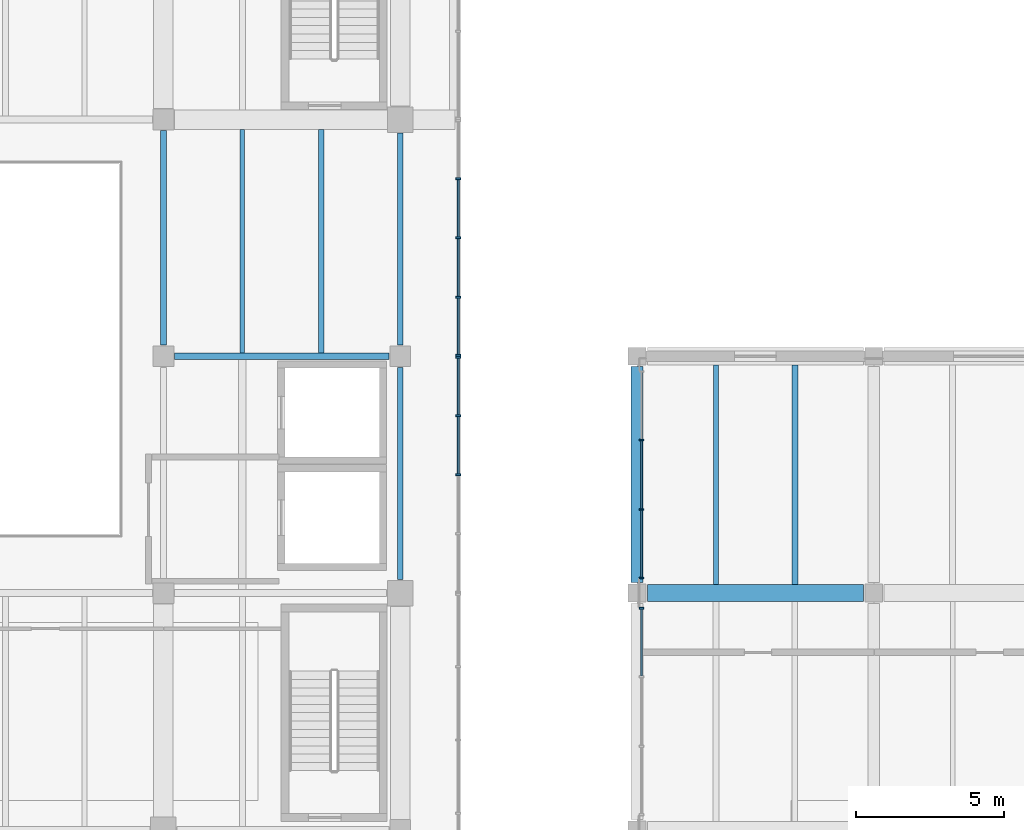
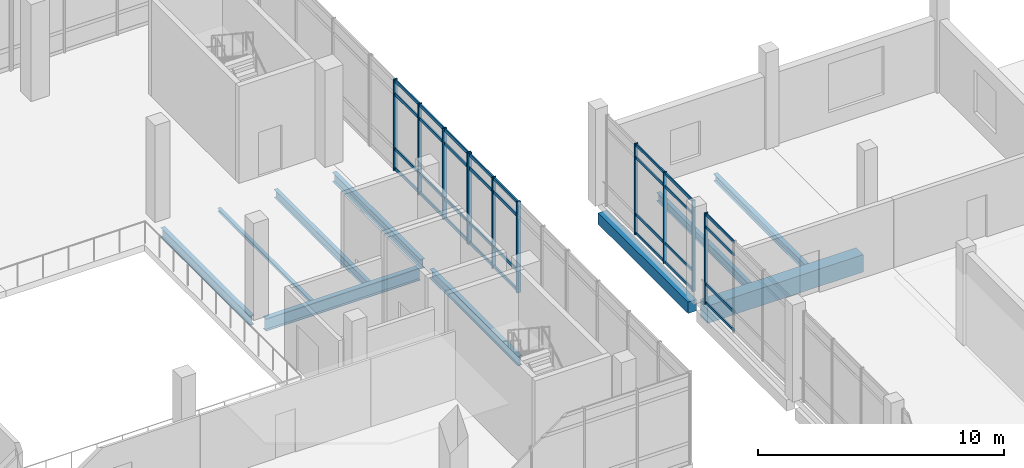
# One storey, part 21 of 47: 43 members, 10 beams, 4 elements without a shape of their own.
"""IFC4 building model written with IfcOpenShell, lengths in metres."""

import ifcopenshell
import ifcopenshell.guid

model = None  # the IFC model being written
_history = None  # IfcOwnerHistory: only IFC2X3 demands one
_inside = {}  # id of a spatial element -> (the spatial element, [elements in it])
_under = {}  # id of a project, library or spatial element -> (it, [spatial elements below it])
_declared = {}  # id of a project -> (the project, [libraries it declares])
_typed = {}  # id of a type object -> (the type object, [elements of that type])
_made_of = {}  # id of a material, layer set ... -> (it, [elements and type objects made of it])


def new_model(schema):
    """Start an empty IFC model of exactly this schema.

    Asked for "IFC4X3", IfcOpenShell would pick the latest addendum, in which some entities
    have other attributes; the version numbers below select the first issue.
    IFC2X3 requires an IfcOwnerHistory on every rooted entity: one is made here for all.
    """
    global model, _history
    if schema == "IFC4X3":
        model = ifcopenshell.file(schema_version=(4, 3, 0, 0))
    else:
        model = ifcopenshell.file(schema=schema)
    _inside.clear()
    _under.clear()
    _declared.clear()
    _typed.clear()
    _made_of.clear()
    _history = None
    if model.schema == "IFC2X3":
        org = make("IfcOrganization", Name="unknown")
        user = make(
            "IfcPersonAndOrganization",
            ThePerson=make("IfcPerson", FamilyName="unknown"),
            TheOrganization=org,
        )
        app = make(
            "IfcApplication",
            ApplicationDeveloper=org,
            Version="unknown",
            ApplicationFullName="unknown",
            ApplicationIdentifier="unknown",
        )
        _history = make(
            "IfcOwnerHistory",
            OwningUser=user,
            OwningApplication=app,
            ChangeAction="ADDED",
            CreationDate=0,
        )
    return model


def make(cls, **values):
    """One entity of the class cls with the attributes given. An attribute that is None is left unset."""
    return model.create_entity(
        cls, **{name: value for name, value in values.items() if value is not None}
    )


def rooted(cls, **values):
    """An entity with a GlobalId (a new one), such as an element, a storey or a relation."""
    return make(cls, GlobalId=ifcopenshell.guid.new(), OwnerHistory=_history, **values)


def si_unit(unit_type, name, prefix=None):
    """IfcSIUnit, for example si_unit("LENGTHUNIT", "METRE", prefix="MILLI")."""
    return make("IfcSIUnit", UnitType=unit_type, Prefix=prefix, Name=name)


def assignment(units):
    """IfcUnitAssignment: the units of a project."""
    return None if units is None else make("IfcUnitAssignment", Units=units)


def point(xyz):
    """IfcCartesianPoint."""
    return None if xyz is None else make("IfcCartesianPoint", Coordinates=xyz)


def direction(xyz):
    """IfcDirection."""
    return None if xyz is None else make("IfcDirection", DirectionRatios=xyz)


def frame(location, z_axis=None, x_axis=None):
    """IfcAxis2Placement3D, a coordinate frame: its origin and axes. An axis left out is left unset."""
    return make(
        "IfcAxis2Placement3D",
        Location=point(location),
        Axis=direction(z_axis),
        RefDirection=direction(x_axis),
    )


def frame_2d(location, x_axis=None):
    """IfcAxis2Placement2D, a coordinate frame in the plane: its origin and x axis."""
    return make(
        "IfcAxis2Placement2D", Location=point(location), RefDirection=direction(x_axis)
    )


def origin():
    """The frame at (0, 0, 0) with its axes left unset."""
    return frame((0.0, 0.0, 0.0))


def origin_2d():
    """The frame at (0, 0) in the plane with its x axis left unset."""
    return frame_2d((0.0, 0.0))


def place(relative_to, where):
    """IfcLocalPlacement: puts the frame where relative to a parent placement (None: the world)."""
    return make(
        "IfcLocalPlacement", PlacementRelTo=relative_to, RelativePlacement=where
    )


def context(
    kind, dimensions, precision=None, world=None, true_north=None, identifier=None
):
    """IfcGeometricRepresentationContext, for example the 3D "Model" context."""
    return make(
        "IfcGeometricRepresentationContext",
        ContextIdentifier=identifier,
        ContextType=kind,
        CoordinateSpaceDimension=dimensions,
        Precision=precision,
        WorldCoordinateSystem=world,
        TrueNorth=true_north,
    )


def subcontext(parent, identifier, kind, view, scale=None):
    """IfcGeometricRepresentationSubContext, for example "Body" below "Model"."""
    return make(
        "IfcGeometricRepresentationSubContext",
        ContextIdentifier=identifier,
        ContextType=kind,
        ParentContext=parent,
        TargetScale=scale,
        TargetView=view,
    )


def project(units=None, contexts=None):
    """IfcProject with its units and contexts."""
    return rooted(
        "IfcProject",
        Name="project",
        RepresentationContexts=contexts,
        UnitsInContext=assignment(units),
    )


def spatial(cls, under=None, at=None, **own):
    """A site, building, storey or space (cls), placed at a placement, below another one or the project."""
    s = rooted(cls, ObjectPlacement=at, **own)
    if under is not None:
        _under.setdefault(under.id(), (under, []))[1].append(s)
    return s


def profile(cls, at=None, kind="AREA", **sizes):
    """A parametric profile (cls). Its sizes go by their IFC names, for example OverallWidth=200.0."""
    return make(cls, ProfileType=kind, Position=at, **sizes)


def rectangle(**sizes):
    """IfcRectangleProfileDef."""
    return profile("IfcRectangleProfileDef", **sizes)


def i_section(**sizes):
    """IfcIShapeProfileDef."""
    return profile("IfcIShapeProfileDef", **sizes)


def extrude(swept, where, along, depth):
    """IfcExtrudedAreaSolid: the profile swept, set in the frame where, extruded along a direction by depth."""
    return make(
        "IfcExtrudedAreaSolid",
        SweptArea=swept,
        Position=where,
        ExtrudedDirection=direction(along),
        Depth=depth,
    )


def shape(context_of_items, identifier, shape_type, items):
    """IfcShapeRepresentation: the items that make up one representation, for example the "Body"."""
    return make(
        "IfcShapeRepresentation",
        ContextOfItems=context_of_items,
        RepresentationIdentifier=identifier,
        RepresentationType=shape_type,
        Items=items,
    )


def material(Name=None, Category=None):
    """IfcMaterial."""
    return make("IfcMaterial", Name=Name, Category=Category)


def material_profile(
    of_material, cross_section, Name=None, Category=None, Priority=None
):
    """IfcMaterialProfile: a cross section and its material."""
    return make(
        "IfcMaterialProfile",
        Name=Name,
        Material=of_material,
        Profile=cross_section,
        Priority=Priority,
        Category=Category,
    )


def profile_set(profiles, Name=None, composite=None):
    """IfcMaterialProfileSet."""
    return make(
        "IfcMaterialProfileSet",
        Name=Name,
        MaterialProfiles=profiles,
        CompositeProfile=composite,
    )


def made_of(thing, what):
    """Note that an element or type object is made of a material, layer set ...; save() writes the relation."""
    if what is not None:
        _made_of.setdefault(what.id(), (what, []))[1].append(thing)
    return thing


def type_object(cls, material=None, **own):
    """A type object (cls), such as IfcWallType, which elements share."""
    return made_of(rooted(cls, **own), material)


def element(
    cls,
    number,
    at=None,
    inside=None,
    cuts=None,
    type_object=None,
    material=None,
    context=None,
    identifier="Body",
    shape_type=None,
    held_by="IfcProductDefinitionShape",
    body=None,
    shapes=None,
    **own,
):
    """One element of the class cls, such as IfcWall. Its Tag is "e" and its number.

    at: its placement. inside: the storey or other place that contains it. cuts: it is an
    opening in that element (IfcRelVoidsElement). A single representation is given by context,
    identifier, shape_type and body (its items); several are given by shapes. held_by: the class
    of the entity that holds the representations. save() writes the other relations.
    """
    e = rooted(cls, Tag="e%d" % number, ObjectPlacement=at, **own)
    if body is not None:
        shapes = [shape(context, identifier, shape_type, body)]
    if shapes is not None:
        e.Representation = make(held_by, Representations=shapes)
    if inside is not None:
        _inside.setdefault(inside.id(), (inside, []))[1].append(e)
    if cuts is not None:
        rooted(
            "IfcRelVoidsElement", RelatingBuildingElement=cuts, RelatedOpeningElement=e
        )
    if type_object is not None:
        _typed.setdefault(type_object.id(), (type_object, []))[1].append(e)
    return made_of(e, material)


def aggregate(whole, parts):
    """IfcRelAggregates: a whole, such as a stair, and the parts it consists of."""
    return rooted("IfcRelAggregates", RelatingObject=whole, RelatedObjects=parts)


def save(model, path):
    """Write the relations noted so far, then the file.

    IfcRelAggregates (storeys below a building ...), IfcRelContainedInSpatialStructure (elements
    in a storey), IfcRelDefinesByType, IfcRelAssociatesMaterial and IfcRelDeclares: one each for
    every whole, place, type object, material and project.
    """
    for whole, parts in _under.values():
        aggregate(whole, parts)
    for where, things in _inside.values():
        rooted(
            "IfcRelContainedInSpatialStructure",
            RelatedElements=things,
            RelatingStructure=where,
        )
    for kind, things in _typed.values():
        rooted("IfcRelDefinesByType", RelatedObjects=things, RelatingType=kind)
    for what, things in _made_of.values():
        rooted("IfcRelAssociatesMaterial", RelatedObjects=things, RelatingMaterial=what)
    for by, libraries in _declared.values():
        rooted("IfcRelDeclares", RelatingContext=by, RelatedDefinitions=libraries)
    model.write(path)


model = new_model("IFC4")

# Units and contexts
model_context = context("Model", 3, precision=1e-05, world=origin(), true_north=direction((0.0, 1.0)))
body_context = subcontext(model_context, "Body", "Model", "MODEL_VIEW")
ifc_project = project(units=[si_unit("LENGTHUNIT", "METRE"), si_unit("AREAUNIT", "SQUARE_METRE"), si_unit("VOLUMEUNIT", "CUBIC_METRE"), si_unit("PLANEANGLEUNIT", "RADIAN"), si_unit("MASSUNIT", "GRAM", prefix="KILO")], contexts=[model_context])

# Site, building, storey
site_placement = place(None, origin())
site = spatial("IfcSite", under=ifc_project, at=site_placement, CompositionType="ELEMENT")
building_placement = place(site_placement, origin())
building = spatial("IfcBuilding", under=site, at=building_placement, Name="Pecanmere Concourse Central Library", CompositionType="ELEMENT")
storey_placement = place(building_placement, frame((0.0, 0.0, 15.300048828125)))
storey = spatial("IfcBuildingStorey", under=building, at=storey_placement, Name="L04", CompositionType="ELEMENT", Elevation=15.300048828125)

# Beam
ifc_material_1 = material(Name="Concrete C40/50", Category="concrete")
ifc_material_profile_1 = material_profile(ifc_material_1, rectangle(XDim=0.39990234375, YDim=0.56005859375, at=origin_2d()), Name="RC 400x560")
ifc_profile_set_1 = profile_set([ifc_material_profile_1], Name="Concrete C40/50")
beam_type_1 = type_object("IfcBeamType", Name="BM_400x560", PredefinedType="BEAM", material=ifc_profile_set_1)
beam_1_placement = place(storey_placement, frame((112.0, 98.35009765625, -0.60009765625), z_axis=(0.0, 1.0, 0.0), x_axis=(-1.0, 0.0, 0.0)))
element("IfcBeam", 1, at=beam_1_placement, inside=storey, type_object=beam_type_1, Name="Primary Girder Y L04-2295", PredefinedType="BEAM", context=body_context, shape_type="SweptSolid", body=[
    extrude(rectangle(XDim=0.39990234375, YDim=0.56005859375, at=origin_2d()), origin(), (0.0, 0.0, 1.0), 7.2998046875),
])

# Curtain wall, member
ifc_material_2 = material(Name="Clear anodized aluminium alloy 6063-T6", Category="aluminium")
curtain_wall_type_1 = type_object("IfcCurtainWallType", Name="CW_CLOISTER_GLAZ", PredefinedType="USERDEFINED", material=ifc_material_2)
curtain_wall_1_placement = place(storey_placement, origin())
curtain_wall_1 = element("IfcCurtainWall", 2, at=curtain_wall_1_placement, inside=storey, type_object=curtain_wall_type_1, Name="Unitised Curtain Wall CW-04 L04-149", ObjectType="UNITISED CURTAIN WALL", PredefinedType="USERDEFINED")
ifc_material_3 = material(Name="Clear anodized aluminium alloy 6063-T6", Category="aluminium")
ifc_material_profile_2 = material_profile(ifc_material_3, rectangle(XDim=0.06005859375, YDim=0.14990234375, at=origin_2d()), Name="AL 60x150")
ifc_profile_set_2 = profile_set([ifc_material_profile_2], Name="Clear anodized aluminium alloy 6063-T6")
member_type_1 = type_object("IfcMemberType", Name="CWM_150x60", PredefinedType="MULLION", material=ifc_profile_set_2)
member_1_placement = place(storey_placement, frame((112.14990234375, 97.489990234375, 0.0), z_axis=(0.0, 0.0, 1.0), x_axis=(0.0, -1.0, 0.0)))
member_1 = element("IfcMember", 3, at=member_1_placement, type_object=member_type_1, Name="CW-04 Mullion 1", PredefinedType="MULLION", context=body_context, shape_type="SweptSolid", body=[
    extrude(rectangle(XDim=0.06005859375, YDim=0.14990234375, at=origin_2d()), origin(), (0.0, 0.0, 1.0), 4.52001953125),
])

# Curtain wall, members
curtain_wall_2_placement = place(storey_placement, origin())
curtain_wall_2 = element("IfcCurtainWall", 4, at=curtain_wall_2_placement, inside=storey, type_object=curtain_wall_type_1, Name="Unitised Curtain Wall CW-04 L04-151", ObjectType="UNITISED CURTAIN WALL", PredefinedType="USERDEFINED")
member_2_placement = place(storey_placement, frame((112.14990234375, 103.17333984375, 0.0), z_axis=(0.0, 0.0, 1.0), x_axis=(0.0, -1.0, 0.0)))
member_2 = element("IfcMember", 5, at=member_2_placement, type_object=member_type_1, Name="CW-04 Mullion 2", PredefinedType="MULLION", context=body_context, shape_type="SweptSolid", body=[
    extrude(rectangle(XDim=0.06005859375, YDim=0.14990234375, at=origin_2d()), origin(), (0.0, 0.0, 1.0), 4.52001953125),
])
member_3_placement = place(storey_placement, frame((112.14990234375, 100.82666015625, 0.0), z_axis=(0.0, 0.0, 1.0), x_axis=(0.0, -1.0, 0.0)))
member_3 = element("IfcMember", 6, at=member_3_placement, type_object=member_type_1, Name="CW-04 Mullion 3", PredefinedType="MULLION", context=body_context, shape_type="SweptSolid", body=[
    extrude(rectangle(XDim=0.06005859375, YDim=0.14990234375, at=origin_2d()), origin(), (0.0, 0.0, 1.0), 4.52001953125),
])
member_4_placement = place(storey_placement, frame((112.14990234375, 98.510009765625, 0.0), z_axis=(0.0, 0.0, 1.0), x_axis=(0.0, -1.0, 0.0)))
member_4 = element("IfcMember", 7, at=member_4_placement, type_object=member_type_1, Name="CW-04 Mullion 4", PredefinedType="MULLION", context=body_context, shape_type="SweptSolid", body=[
    extrude(rectangle(XDim=0.06005859375, YDim=0.14990234375, at=origin_2d()), origin(), (0.0, 0.0, 1.0), 4.52001953125),
])

ifc_material_4 = material(Name="Anodized bronze aluminium alloy 6063-T6", Category="aluminium")
curtain_wall_type_2 = type_object("IfcCurtainWallType", Name="CW_PLUMB_BANDED", PredefinedType="USERDEFINED", material=ifc_material_4)
curtain_wall_3_placement = place(storey_placement, origin())
curtain_wall_3 = element("IfcCurtainWall", 8, at=curtain_wall_3_placement, inside=storey, type_object=curtain_wall_type_2, Name="Unitised Curtain Wall CW-02 L04-047", ObjectType="UNITISED CURTAIN WALL", PredefinedType="USERDEFINED")
ifc_material_5 = material(Name="Anodized bronze aluminium alloy 6063-T6", Category="aluminium")
ifc_material_profile_3 = material_profile(ifc_material_5, rectangle(XDim=0.06494140625, YDim=0.179931640625, at=origin_2d()), Name="AL 65x180")
ifc_profile_set_3 = profile_set([ifc_material_profile_3], Name="Anodized bronze aluminium alloy 6063-T6")
member_type_2 = type_object("IfcMemberType", Name="CWM_180x65", PredefinedType="MULLION", material=ifc_profile_set_3)
member_5_placement = place(storey_placement, frame((105.96142578125, 102.0, 0.0), z_axis=(0.0, 0.0, 1.0), x_axis=(0.0, 1.0, 0.0)))
member_5 = element("IfcMember", 9, at=member_5_placement, type_object=member_type_2, Name="CW-02 Mullion 3", PredefinedType="MULLION", context=body_context, shape_type="SweptSolid", body=[
    extrude(rectangle(XDim=0.06494140625, YDim=0.179931640625, at=origin_2d()), origin(), (0.0, 0.0, 1.0), 4.52001953125),
])
member_6_placement = place(storey_placement, frame((105.96142578125, 103.99755859375, 0.0), z_axis=(0.0, 0.0, 1.0), x_axis=(0.0, 1.0, 0.0)))
member_6 = element("IfcMember", 10, at=member_6_placement, type_object=member_type_2, Name="CW-02 Mullion 4", PredefinedType="MULLION", context=body_context, shape_type="SweptSolid", body=[
    extrude(rectangle(XDim=0.06494140625, YDim=0.179931640625, at=origin_2d()), origin(), (0.0, 0.0, 1.0), 4.52001953125),
])
member_7_placement = place(storey_placement, frame((105.96142578125, 105.96240234375, 0.0), z_axis=(0.0, 0.0, 1.0), x_axis=(0.0, 1.0, 0.0)))
member_7 = element("IfcMember", 11, at=member_7_placement, type_object=member_type_2, Name="CW-02 Mullion 5", PredefinedType="MULLION", context=body_context, shape_type="SweptSolid", body=[
    extrude(rectangle(XDim=0.06494140625, YDim=0.179931640625, at=origin_2d()), origin(), (0.0, 0.0, 1.0), 4.52001953125),
])

curtain_wall_4_placement = place(storey_placement, origin())
curtain_wall_4 = element("IfcCurtainWall", 12, at=curtain_wall_4_placement, inside=storey, type_object=curtain_wall_type_2, Name="Unitised Curtain Wall CW-02 L04-048", ObjectType="UNITISED CURTAIN WALL", PredefinedType="USERDEFINED")
member_8_placement = place(storey_placement, frame((105.96142578125, 106.03759765625, 0.0), z_axis=(0.0, 0.0, 1.0), x_axis=(0.0, 1.0, 0.0)))
member_8 = element("IfcMember", 13, at=member_8_placement, type_object=member_type_2, Name="CW-02 Mullion 1", PredefinedType="MULLION", context=body_context, shape_type="SweptSolid", body=[
    extrude(rectangle(XDim=0.06494140625, YDim=0.179931640625, at=origin_2d()), origin(), (0.0, 0.0, 1.0), 4.52001953125),
])
member_9_placement = place(storey_placement, frame((105.96142578125, 108.00244140625, 0.0), z_axis=(0.0, 0.0, 1.0), x_axis=(0.0, 1.0, 0.0)))
member_9 = element("IfcMember", 14, at=member_9_placement, type_object=member_type_2, Name="CW-02 Mullion 2", PredefinedType="MULLION", context=body_context, shape_type="SweptSolid", body=[
    extrude(rectangle(XDim=0.06494140625, YDim=0.179931640625, at=origin_2d()), origin(), (0.0, 0.0, 1.0), 4.52001953125),
])
member_10_placement = place(storey_placement, frame((105.96142578125, 110.0, 0.0), z_axis=(0.0, 0.0, 1.0), x_axis=(0.0, 1.0, 0.0)))
member_10 = element("IfcMember", 15, at=member_10_placement, type_object=member_type_2, Name="CW-02 Mullion 3", PredefinedType="MULLION", context=body_context, shape_type="SweptSolid", body=[
    extrude(rectangle(XDim=0.06494140625, YDim=0.179931640625, at=origin_2d()), origin(), (0.0, 0.0, 1.0), 4.52001953125),
])
member_11_placement = place(storey_placement, frame((105.96142578125, 111.99755859375, 0.0), z_axis=(0.0, 0.0, 1.0), x_axis=(0.0, 1.0, 0.0)))
member_11 = element("IfcMember", 16, at=member_11_placement, type_object=member_type_2, Name="CW-02 Mullion 4", PredefinedType="MULLION", context=body_context, shape_type="SweptSolid", body=[
    extrude(rectangle(XDim=0.06494140625, YDim=0.179931640625, at=origin_2d()), origin(), (0.0, 0.0, 1.0), 4.52001953125),
])

# Member
ifc_material_6 = material(Name="Clear anodized aluminium alloy 6063-T6", Category="aluminium")
ifc_material_profile_4 = material_profile(ifc_material_6, rectangle(XDim=0.054931640625, YDim=0.139892578125, at=origin_2d()), Name="AL 55x140")
ifc_profile_set_4 = profile_set([ifc_material_profile_4], Name="Clear anodized aluminium alloy 6063-T6")
member_type_3 = type_object("IfcMemberType", Name="CWT_140x55", PredefinedType="USERDEFINED", material=ifc_profile_set_4)
member_12_placement = place(storey_placement, frame((112.14990234375, 97.4599609375, 0.070068359375), z_axis=(0.0, -1.0, 0.0), x_axis=(1.0, 0.0, 0.0)))
member_12 = element("IfcMember", 17, at=member_12_placement, type_object=member_type_3, Name="CW-04 Transom 1.1", ObjectType="TRANSOM", PredefinedType="USERDEFINED", context=body_context, shape_type="SweptSolid", body=[
    extrude(rectangle(XDim=0.054931640625, YDim=0.139892578125, at=origin_2d()), origin(), (0.0, 0.0, 1.0), 2.256591796875),
])

member_13_placement = place(storey_placement, frame((112.14990234375, 97.4599609375, 1.0), z_axis=(0.0, -1.0, 0.0), x_axis=(1.0, 0.0, 0.0)))
member_13 = element("IfcMember", 18, at=member_13_placement, type_object=member_type_3, Name="CW-04 Transom 1.2", ObjectType="TRANSOM", PredefinedType="USERDEFINED", context=body_context, shape_type="SweptSolid", body=[
    extrude(rectangle(XDim=0.054931640625, YDim=0.139892578125, at=origin_2d()), origin(), (0.0, 0.0, 1.0), 2.256591796875),
])

member_14_placement = place(storey_placement, frame((112.14990234375, 97.4599609375, 3.820068359375), z_axis=(0.0, -1.0, 0.0), x_axis=(1.0, 0.0, 0.0)))
member_14 = element("IfcMember", 19, at=member_14_placement, type_object=member_type_3, Name="CW-04 Transom 1.3", ObjectType="TRANSOM", PredefinedType="USERDEFINED", context=body_context, shape_type="SweptSolid", body=[
    extrude(rectangle(XDim=0.054931640625, YDim=0.139892578125, at=origin_2d()), origin(), (0.0, 0.0, 1.0), 2.256591796875),
])

member_15_placement = place(storey_placement, frame((112.14990234375, 97.4599609375, 4.449951171875), z_axis=(0.0, -1.0, 0.0), x_axis=(1.0, 0.0, 0.0)))
member_15 = element("IfcMember", 20, at=member_15_placement, type_object=member_type_3, Name="CW-04 Transom 1.4", ObjectType="TRANSOM", PredefinedType="USERDEFINED", context=body_context, shape_type="SweptSolid", body=[
    extrude(rectangle(XDim=0.054931640625, YDim=0.139892578125, at=origin_2d()), origin(), (0.0, 0.0, 1.0), 2.256591796875),
])

aggregate(curtain_wall_1, [member_1, member_12, member_13, member_14, member_15])

member_16_placement = place(storey_placement, frame((112.14990234375, 103.143310546875, 0.070068359375), z_axis=(0.0, -1.0, 0.0), x_axis=(1.0, 0.0, 0.0)))
member_16 = element("IfcMember", 21, at=member_16_placement, type_object=member_type_3, Name="CW-04 Transom 2.1", ObjectType="TRANSOM", PredefinedType="USERDEFINED", context=body_context, shape_type="SweptSolid", body=[
    extrude(rectangle(XDim=0.054931640625, YDim=0.139892578125, at=origin_2d()), origin(), (0.0, 0.0, 1.0), 2.28662109375),
])

member_17_placement = place(storey_placement, frame((112.14990234375, 103.143310546875, 1.0), z_axis=(0.0, -1.0, 0.0), x_axis=(1.0, 0.0, 0.0)))
member_17 = element("IfcMember", 22, at=member_17_placement, type_object=member_type_3, Name="CW-04 Transom 2.2", ObjectType="TRANSOM", PredefinedType="USERDEFINED", context=body_context, shape_type="SweptSolid", body=[
    extrude(rectangle(XDim=0.054931640625, YDim=0.139892578125, at=origin_2d()), origin(), (0.0, 0.0, 1.0), 2.28662109375),
])

member_18_placement = place(storey_placement, frame((112.14990234375, 103.143310546875, 3.820068359375), z_axis=(0.0, -1.0, 0.0), x_axis=(1.0, 0.0, 0.0)))
member_18 = element("IfcMember", 23, at=member_18_placement, type_object=member_type_3, Name="CW-04 Transom 2.3", ObjectType="TRANSOM", PredefinedType="USERDEFINED", context=body_context, shape_type="SweptSolid", body=[
    extrude(rectangle(XDim=0.054931640625, YDim=0.139892578125, at=origin_2d()), origin(), (0.0, 0.0, 1.0), 2.28662109375),
])

member_19_placement = place(storey_placement, frame((112.14990234375, 103.143310546875, 4.449951171875), z_axis=(0.0, -1.0, 0.0), x_axis=(1.0, 0.0, 0.0)))
member_19 = element("IfcMember", 24, at=member_19_placement, type_object=member_type_3, Name="CW-04 Transom 2.4", ObjectType="TRANSOM", PredefinedType="USERDEFINED", context=body_context, shape_type="SweptSolid", body=[
    extrude(rectangle(XDim=0.054931640625, YDim=0.139892578125, at=origin_2d()), origin(), (0.0, 0.0, 1.0), 2.28662109375),
])

member_20_placement = place(storey_placement, frame((112.14990234375, 100.796630859375, 0.070068359375), z_axis=(0.0, -1.0, 0.0), x_axis=(1.0, 0.0, 0.0)))
member_20 = element("IfcMember", 25, at=member_20_placement, type_object=member_type_3, Name="CW-04 Transom 3.1", ObjectType="TRANSOM", PredefinedType="USERDEFINED", context=body_context, shape_type="SweptSolid", body=[
    extrude(rectangle(XDim=0.054931640625, YDim=0.139892578125, at=origin_2d()), origin(), (0.0, 0.0, 1.0), 2.256591796875),
])

member_21_placement = place(storey_placement, frame((112.14990234375, 100.796630859375, 1.0), z_axis=(0.0, -1.0, 0.0), x_axis=(1.0, 0.0, 0.0)))
member_21 = element("IfcMember", 26, at=member_21_placement, type_object=member_type_3, Name="CW-04 Transom 3.2", ObjectType="TRANSOM", PredefinedType="USERDEFINED", context=body_context, shape_type="SweptSolid", body=[
    extrude(rectangle(XDim=0.054931640625, YDim=0.139892578125, at=origin_2d()), origin(), (0.0, 0.0, 1.0), 2.256591796875),
])

member_22_placement = place(storey_placement, frame((112.14990234375, 100.796630859375, 3.820068359375), z_axis=(0.0, -1.0, 0.0), x_axis=(1.0, 0.0, 0.0)))
member_22 = element("IfcMember", 27, at=member_22_placement, type_object=member_type_3, Name="CW-04 Transom 3.3", ObjectType="TRANSOM", PredefinedType="USERDEFINED", context=body_context, shape_type="SweptSolid", body=[
    extrude(rectangle(XDim=0.054931640625, YDim=0.139892578125, at=origin_2d()), origin(), (0.0, 0.0, 1.0), 2.256591796875),
])

member_23_placement = place(storey_placement, frame((112.14990234375, 100.796630859375, 4.449951171875), z_axis=(0.0, -1.0, 0.0), x_axis=(1.0, 0.0, 0.0)))
member_23 = element("IfcMember", 28, at=member_23_placement, type_object=member_type_3, Name="CW-04 Transom 3.4", ObjectType="TRANSOM", PredefinedType="USERDEFINED", context=body_context, shape_type="SweptSolid", body=[
    extrude(rectangle(XDim=0.054931640625, YDim=0.139892578125, at=origin_2d()), origin(), (0.0, 0.0, 1.0), 2.256591796875),
])

aggregate(curtain_wall_2, [member_2, member_3, member_4, member_16, member_17, member_18, member_19, member_20, member_21, member_22, member_23])

ifc_material_7 = material(Name="Anodized bronze aluminium alloy 6063-T6", Category="aluminium")
ifc_material_profile_5 = material_profile(ifc_material_7, rectangle(XDim=0.06005859375, YDim=0.159912109375, at=origin_2d()), Name="AL 60x160")
ifc_profile_set_5 = profile_set([ifc_material_profile_5], Name="Anodized bronze aluminium alloy 6063-T6")
member_type_4 = type_object("IfcMemberType", Name="CWT_160x60", PredefinedType="USERDEFINED", material=ifc_profile_set_5)
member_24_placement = place(storey_placement, frame((105.96142578125, 102.032470703125, 0.079833984375), z_axis=(0.0, 1.0, 0.0), x_axis=(-1.0, 0.0, 0.0)))
member_24 = element("IfcMember", 29, at=member_24_placement, type_object=member_type_4, Name="CW-02 Transom 3.1", ObjectType="TRANSOM", PredefinedType="USERDEFINED", context=body_context, shape_type="SweptSolid", body=[
    extrude(rectangle(XDim=0.06005859375, YDim=0.159912109375, at=origin_2d()), origin(), (0.0, 0.0, 1.0), 1.9326171875),
])

member_25_placement = place(storey_placement, frame((105.96142578125, 102.032470703125, 1.050048828125), z_axis=(0.0, 1.0, 0.0), x_axis=(-1.0, 0.0, 0.0)))
member_25 = element("IfcMember", 30, at=member_25_placement, type_object=member_type_4, Name="CW-02 Transom 3.2", ObjectType="TRANSOM", PredefinedType="USERDEFINED", context=body_context, shape_type="SweptSolid", body=[
    extrude(rectangle(XDim=0.06005859375, YDim=0.159912109375, at=origin_2d()), origin(), (0.0, 0.0, 1.0), 1.9326171875),
])

member_26_placement = place(storey_placement, frame((105.96142578125, 102.032470703125, 3.77001953125), z_axis=(0.0, 1.0, 0.0), x_axis=(-1.0, 0.0, 0.0)))
member_26 = element("IfcMember", 31, at=member_26_placement, type_object=member_type_4, Name="CW-02 Transom 3.3", ObjectType="TRANSOM", PredefinedType="USERDEFINED", context=body_context, shape_type="SweptSolid", body=[
    extrude(rectangle(XDim=0.06005859375, YDim=0.159912109375, at=origin_2d()), origin(), (0.0, 0.0, 1.0), 1.9326171875),
])

member_27_placement = place(storey_placement, frame((105.96142578125, 102.032470703125, 4.43994140625), z_axis=(0.0, 1.0, 0.0), x_axis=(-1.0, 0.0, 0.0)))
member_27 = element("IfcMember", 32, at=member_27_placement, type_object=member_type_4, Name="CW-02 Transom 3.4", ObjectType="TRANSOM", PredefinedType="USERDEFINED", context=body_context, shape_type="SweptSolid", body=[
    extrude(rectangle(XDim=0.06005859375, YDim=0.159912109375, at=origin_2d()), origin(), (0.0, 0.0, 1.0), 1.9326171875),
])

member_28_placement = place(storey_placement, frame((105.96142578125, 104.030029296875, 0.079833984375), z_axis=(0.0, 1.0, 0.0), x_axis=(-1.0, 0.0, 0.0)))
member_28 = element("IfcMember", 33, at=member_28_placement, type_object=member_type_4, Name="CW-02 Transom 4.1", ObjectType="TRANSOM", PredefinedType="USERDEFINED", context=body_context, shape_type="SweptSolid", body=[
    extrude(rectangle(XDim=0.06005859375, YDim=0.159912109375, at=origin_2d()), origin(), (0.0, 0.0, 1.0), 1.89990234375),
])

member_29_placement = place(storey_placement, frame((105.96142578125, 104.030029296875, 1.050048828125), z_axis=(0.0, 1.0, 0.0), x_axis=(-1.0, 0.0, 0.0)))
member_29 = element("IfcMember", 34, at=member_29_placement, type_object=member_type_4, Name="CW-02 Transom 4.2", ObjectType="TRANSOM", PredefinedType="USERDEFINED", context=body_context, shape_type="SweptSolid", body=[
    extrude(rectangle(XDim=0.06005859375, YDim=0.159912109375, at=origin_2d()), origin(), (0.0, 0.0, 1.0), 1.89990234375),
])

member_30_placement = place(storey_placement, frame((105.96142578125, 104.030029296875, 3.77001953125), z_axis=(0.0, 1.0, 0.0), x_axis=(-1.0, 0.0, 0.0)))
member_30 = element("IfcMember", 35, at=member_30_placement, type_object=member_type_4, Name="CW-02 Transom 4.3", ObjectType="TRANSOM", PredefinedType="USERDEFINED", context=body_context, shape_type="SweptSolid", body=[
    extrude(rectangle(XDim=0.06005859375, YDim=0.159912109375, at=origin_2d()), origin(), (0.0, 0.0, 1.0), 1.89990234375),
])

member_31_placement = place(storey_placement, frame((105.96142578125, 104.030029296875, 4.43994140625), z_axis=(0.0, 1.0, 0.0), x_axis=(-1.0, 0.0, 0.0)))
member_31 = element("IfcMember", 36, at=member_31_placement, type_object=member_type_4, Name="CW-02 Transom 4.4", ObjectType="TRANSOM", PredefinedType="USERDEFINED", context=body_context, shape_type="SweptSolid", body=[
    extrude(rectangle(XDim=0.06005859375, YDim=0.159912109375, at=origin_2d()), origin(), (0.0, 0.0, 1.0), 1.89990234375),
])

aggregate(curtain_wall_3, [member_5, member_6, member_7, member_24, member_25, member_26, member_27, member_28, member_29, member_30, member_31])

member_32_placement = place(storey_placement, frame((105.96142578125, 106.070068359375, 0.079833984375), z_axis=(0.0, 1.0, 0.0), x_axis=(-1.0, 0.0, 0.0)))
member_32 = element("IfcMember", 37, at=member_32_placement, type_object=member_type_4, Name="CW-02 Transom 1.1", ObjectType="TRANSOM", PredefinedType="USERDEFINED", context=body_context, shape_type="SweptSolid", body=[
    extrude(rectangle(XDim=0.06005859375, YDim=0.159912109375, at=origin_2d()), origin(), (0.0, 0.0, 1.0), 1.89990234375),
])

member_33_placement = place(storey_placement, frame((105.96142578125, 106.070068359375, 1.050048828125), z_axis=(0.0, 1.0, 0.0), x_axis=(-1.0, 0.0, 0.0)))
member_33 = element("IfcMember", 38, at=member_33_placement, type_object=member_type_4, Name="CW-02 Transom 1.2", ObjectType="TRANSOM", PredefinedType="USERDEFINED", context=body_context, shape_type="SweptSolid", body=[
    extrude(rectangle(XDim=0.06005859375, YDim=0.159912109375, at=origin_2d()), origin(), (0.0, 0.0, 1.0), 1.89990234375),
])

member_34_placement = place(storey_placement, frame((105.96142578125, 106.070068359375, 3.77001953125), z_axis=(0.0, 1.0, 0.0), x_axis=(-1.0, 0.0, 0.0)))
member_34 = element("IfcMember", 39, at=member_34_placement, type_object=member_type_4, Name="CW-02 Transom 1.3", ObjectType="TRANSOM", PredefinedType="USERDEFINED", context=body_context, shape_type="SweptSolid", body=[
    extrude(rectangle(XDim=0.06005859375, YDim=0.159912109375, at=origin_2d()), origin(), (0.0, 0.0, 1.0), 1.89990234375),
])

member_35_placement = place(storey_placement, frame((105.96142578125, 106.070068359375, 4.43994140625), z_axis=(0.0, 1.0, 0.0), x_axis=(-1.0, 0.0, 0.0)))
member_35 = element("IfcMember", 40, at=member_35_placement, type_object=member_type_4, Name="CW-02 Transom 1.4", ObjectType="TRANSOM", PredefinedType="USERDEFINED", context=body_context, shape_type="SweptSolid", body=[
    extrude(rectangle(XDim=0.06005859375, YDim=0.159912109375, at=origin_2d()), origin(), (0.0, 0.0, 1.0), 1.89990234375),
])

member_36_placement = place(storey_placement, frame((105.96142578125, 108.034912109375, 0.079833984375), z_axis=(0.0, 1.0, 0.0), x_axis=(-1.0, 0.0, 0.0)))
member_36 = element("IfcMember", 41, at=member_36_placement, type_object=member_type_4, Name="CW-02 Transom 2.1", ObjectType="TRANSOM", PredefinedType="USERDEFINED", context=body_context, shape_type="SweptSolid", body=[
    extrude(rectangle(XDim=0.06005859375, YDim=0.159912109375, at=origin_2d()), origin(), (0.0, 0.0, 1.0), 1.9326171875),
])

member_37_placement = place(storey_placement, frame((105.96142578125, 108.034912109375, 1.050048828125), z_axis=(0.0, 1.0, 0.0), x_axis=(-1.0, 0.0, 0.0)))
member_37 = element("IfcMember", 42, at=member_37_placement, type_object=member_type_4, Name="CW-02 Transom 2.2", ObjectType="TRANSOM", PredefinedType="USERDEFINED", context=body_context, shape_type="SweptSolid", body=[
    extrude(rectangle(XDim=0.06005859375, YDim=0.159912109375, at=origin_2d()), origin(), (0.0, 0.0, 1.0), 1.9326171875),
])

member_38_placement = place(storey_placement, frame((105.96142578125, 108.034912109375, 3.77001953125), z_axis=(0.0, 1.0, 0.0), x_axis=(-1.0, 0.0, 0.0)))
member_38 = element("IfcMember", 43, at=member_38_placement, type_object=member_type_4, Name="CW-02 Transom 2.3", ObjectType="TRANSOM", PredefinedType="USERDEFINED", context=body_context, shape_type="SweptSolid", body=[
    extrude(rectangle(XDim=0.06005859375, YDim=0.159912109375, at=origin_2d()), origin(), (0.0, 0.0, 1.0), 1.9326171875),
])

member_39_placement = place(storey_placement, frame((105.96142578125, 108.034912109375, 4.43994140625), z_axis=(0.0, 1.0, 0.0), x_axis=(-1.0, 0.0, 0.0)))
member_39 = element("IfcMember", 44, at=member_39_placement, type_object=member_type_4, Name="CW-02 Transom 2.4", ObjectType="TRANSOM", PredefinedType="USERDEFINED", context=body_context, shape_type="SweptSolid", body=[
    extrude(rectangle(XDim=0.06005859375, YDim=0.159912109375, at=origin_2d()), origin(), (0.0, 0.0, 1.0), 1.9326171875),
])

member_40_placement = place(storey_placement, frame((105.96142578125, 110.032470703125, 0.079833984375), z_axis=(0.0, 1.0, 0.0), x_axis=(-1.0, 0.0, 0.0)))
member_40 = element("IfcMember", 45, at=member_40_placement, type_object=member_type_4, Name="CW-02 Transom 3.1", ObjectType="TRANSOM", PredefinedType="USERDEFINED", context=body_context, shape_type="SweptSolid", body=[
    extrude(rectangle(XDim=0.06005859375, YDim=0.159912109375, at=origin_2d()), origin(), (0.0, 0.0, 1.0), 1.9326171875),
])

member_41_placement = place(storey_placement, frame((105.96142578125, 110.032470703125, 1.050048828125), z_axis=(0.0, 1.0, 0.0), x_axis=(-1.0, 0.0, 0.0)))
member_41 = element("IfcMember", 46, at=member_41_placement, type_object=member_type_4, Name="CW-02 Transom 3.2", ObjectType="TRANSOM", PredefinedType="USERDEFINED", context=body_context, shape_type="SweptSolid", body=[
    extrude(rectangle(XDim=0.06005859375, YDim=0.159912109375, at=origin_2d()), origin(), (0.0, 0.0, 1.0), 1.9326171875),
])

member_42_placement = place(storey_placement, frame((105.96142578125, 110.032470703125, 3.77001953125), z_axis=(0.0, 1.0, 0.0), x_axis=(-1.0, 0.0, 0.0)))
member_42 = element("IfcMember", 47, at=member_42_placement, type_object=member_type_4, Name="CW-02 Transom 3.3", ObjectType="TRANSOM", PredefinedType="USERDEFINED", context=body_context, shape_type="SweptSolid", body=[
    extrude(rectangle(XDim=0.06005859375, YDim=0.159912109375, at=origin_2d()), origin(), (0.0, 0.0, 1.0), 1.9326171875),
])

member_43_placement = place(storey_placement, frame((105.96142578125, 110.032470703125, 4.43994140625), z_axis=(0.0, 1.0, 0.0), x_axis=(-1.0, 0.0, 0.0)))
member_43 = element("IfcMember", 48, at=member_43_placement, type_object=member_type_4, Name="CW-02 Transom 3.4", ObjectType="TRANSOM", PredefinedType="USERDEFINED", context=body_context, shape_type="SweptSolid", body=[
    extrude(rectangle(XDim=0.06005859375, YDim=0.159912109375, at=origin_2d()), origin(), (0.0, 0.0, 1.0), 1.9326171875),
])

aggregate(curtain_wall_4, [member_8, member_9, member_10, member_11, member_32, member_33, member_34, member_35, member_36, member_37, member_38, member_39, member_40, member_41, member_42, member_43])

# Beams
ifc_material_8 = material(Name="Concrete C40/50", Category="concrete")
ifc_material_profile_6 = material_profile(ifc_material_8, rectangle(XDim=0.580078125, YDim=0.860107421875, at=origin_2d()), Name="RC 580x860")
ifc_profile_set_6 = profile_set([ifc_material_profile_6], Name="Concrete C40/50")
beam_type_2 = type_object("IfcBeamType", Name="GRD_580x860", PredefinedType="USERDEFINED", material=ifc_profile_set_6)
beam_2_placement = place(storey_placement, frame((112.35009765625, 98.0, -0.75), z_axis=(1.0, 0.0, 0.0), x_axis=(0.0, 1.0, 0.0)))
element("IfcBeam", 49, at=beam_2_placement, inside=storey, type_object=beam_type_2, Name="Primary Girder X L04-2199", ObjectType="GIRDER", PredefinedType="USERDEFINED", context=body_context, shape_type="SweptSolid", body=[
    extrude(rectangle(XDim=0.580078125, YDim=0.860107421875, at=origin_2d()), origin(), (0.0, 0.0, 1.0), 7.2998046875),
])
ifc_material_9 = material(Name="Structural steel ASTM A992 Grade 50", Category="steel")
ifc_material_profile_7 = material_profile(ifc_material_9, i_section(OverallWidth=0.152099609375, OverallDepth=0.152099609375, WebThickness=0.005859375, FlangeThickness=0.006591796875, at=origin_2d()), Name="W150x22.5")
ifc_profile_set_7 = profile_set([ifc_material_profile_7], Name="Structural steel ASTM A992 Grade 50")
beam_type_3 = type_object("IfcBeamType", Name="SBM_W150x22", PredefinedType="LINTEL", material=ifc_profile_set_7)
beam_3_placement = place(storey_placement, frame((98.666748046875, 106.114990234375, -0.39599609375), z_axis=(0.0, 1.0, 0.0), x_axis=(-1.0, 0.0, 0.0)))
element("IfcBeam", 50, at=beam_3_placement, inside=storey, type_object=beam_type_3, Name="Secondary Floor Joist L04-2397", PredefinedType="LINTEL", context=body_context, shape_type="SweptSolid", body=[
    extrude(i_section(OverallWidth=0.152099609375, OverallDepth=0.152099609375, WebThickness=0.005859375, FlangeThickness=0.006591796875, at=origin_2d()), origin(), (0.0, 0.0, 1.0), 7.554931640625),
])
ifc_material_10 = material(Name="Structural steel ASTM A992 Grade 50", Category="steel")
ifc_material_profile_8 = material_profile(ifc_material_10, i_section(OverallWidth=0.202880859375, OverallDepth=0.346923828125, WebThickness=0.0078125, FlangeThickness=0.013427734375, at=origin_2d()), Name="W360x64")
ifc_profile_set_8 = profile_set([ifc_material_profile_8], Name="Structural steel ASTM A992 Grade 50")
beam_type_4 = type_object("IfcBeamType", Name="SBM_W360x64", PredefinedType="JOIST", material=ifc_profile_set_8)
beam_4_placement = place(storey_placement, frame((117.333251953125, 98.2900390625, -0.49365234375), z_axis=(0.0, 1.0, 0.0), x_axis=(-1.0, 0.0, 0.0)))
element("IfcBeam", 51, at=beam_4_placement, inside=storey, type_object=beam_type_4, Name="Secondary Floor Joist L04-2411", PredefinedType="JOIST", context=body_context, shape_type="SweptSolid", body=[
    extrude(i_section(OverallWidth=0.202880859375, OverallDepth=0.346923828125, WebThickness=0.0078125, FlangeThickness=0.013427734375, at=origin_2d()), origin(), (0.0, 0.0, 1.0), 7.419921875),
])
ifc_material_11 = material(Name="Structural steel ASTM A992 Grade 50", Category="steel")
ifc_material_profile_9 = material_profile(ifc_material_11, i_section(OverallWidth=0.177978515625, OverallDepth=0.406982421875, WebThickness=0.0078125, FlangeThickness=0.0126953125, at=origin_2d()), Name="W410x60")
ifc_profile_set_9 = profile_set([ifc_material_profile_9], Name="Structural steel ASTM A992 Grade 50")
beam_type_5 = type_object("IfcBeamType", Name="SBM_W410x60", PredefinedType="JOIST", material=ifc_profile_set_9)
beam_5_placement = place(storey_placement, frame((101.333251953125, 106.114990234375, -0.5234375), z_axis=(0.0, 1.0, 0.0), x_axis=(-1.0, 0.0, 0.0)))
element("IfcBeam", 52, at=beam_5_placement, inside=storey, type_object=beam_type_5, Name="Secondary Floor Joist L04-2398", PredefinedType="JOIST", context=body_context, shape_type="SweptSolid", body=[
    extrude(i_section(OverallWidth=0.177978515625, OverallDepth=0.406982421875, WebThickness=0.0078125, FlangeThickness=0.0126953125, at=origin_2d()), origin(), (0.0, 0.0, 1.0), 7.554931640625),
])
beam_6_placement = place(storey_placement, frame((114.666748046875, 98.2900390625, -0.5234375), z_axis=(0.0, 1.0, 0.0), x_axis=(-1.0, 0.0, 0.0)))
element("IfcBeam", 53, at=beam_6_placement, inside=storey, type_object=beam_type_5, Name="Secondary Floor Joist L04-2410", PredefinedType="JOIST", context=body_context, shape_type="SweptSolid", body=[
    extrude(i_section(OverallWidth=0.177978515625, OverallDepth=0.406982421875, WebThickness=0.0078125, FlangeThickness=0.0126953125, at=origin_2d()), origin(), (0.0, 0.0, 1.0), 7.419921875),
])
ifc_material_12 = material(Name="Structural steel ASTM A992 Grade 50", Category="steel")
ifc_material_profile_10 = material_profile(ifc_material_12, i_section(OverallWidth=0.194091796875, OverallDepth=0.468994140625, WebThickness=0.0126953125, FlangeThickness=0.0205078125, at=origin_2d()), Name="W460x106")
ifc_profile_set_10 = profile_set([ifc_material_profile_10], Name="Structural steel ASTM A992 Grade 50")
beam_type_6 = type_object("IfcBeamType", Name="SBM_W460x106", PredefinedType="USERDEFINED", material=ifc_profile_set_10)
beam_7_placement = place(storey_placement, frame((96.0, 106.375, -0.554443359375), z_axis=(0.0, 1.0, 0.0), x_axis=(-1.0, 0.0, 0.0)))
element("IfcBeam", 54, at=beam_7_placement, inside=storey, type_object=beam_type_6, Name="Primary Girder Y L04-2283", ObjectType="GIRDER", PredefinedType="USERDEFINED", context=body_context, shape_type="SweptSolid", body=[
    extrude(i_section(OverallWidth=0.194091796875, OverallDepth=0.468994140625, WebThickness=0.0126953125, FlangeThickness=0.0205078125, at=origin_2d()), origin(), (0.0, 0.0, 1.0), 7.25),
])
for number, where, z_axis, x_axis, name in (
    (55, (104.0, 98.4599609375, -0.554443359375), (0.0, 1.0, 0.0), (-1.0, 0.0, 0.0), "Primary Girder Y L04-2286"),
    (56, (104.0, 106.375, -0.554443359375), (0.0, 1.0, 0.0), (-1.0, 0.0, 0.0), "Primary Girder Y L04-2287"),
):
    element("IfcBeam", number, at=place(storey_placement, frame(where, z_axis=z_axis, x_axis=x_axis)), inside=storey, type_object=beam_type_6, Name=name, ObjectType="GIRDER", PredefinedType="USERDEFINED", context=body_context, shape_type="SweptSolid", body=[
        extrude(i_section(OverallWidth=0.194091796875, OverallDepth=0.468994140625, WebThickness=0.0126953125, FlangeThickness=0.0205078125, at=origin_2d()), origin(), (0.0, 0.0, 1.0), 7.1650390625),
    ])
ifc_material_13 = material(Name="Structural steel ASTM A992 Grade 50", Category="steel")
ifc_material_profile_11 = material_profile(ifc_material_13, i_section(OverallWidth=0.22998046875, OverallDepth=0.616943359375, WebThickness=0.01318359375, FlangeThickness=0.022216796875, at=origin_2d()), Name="W610x140")
ifc_profile_set_11 = profile_set([ifc_material_profile_11], Name="Structural steel ASTM A992 Grade 50")
beam_type_7 = type_object("IfcBeamType", Name="SBM_W610x140", PredefinedType="USERDEFINED", material=ifc_profile_set_11)
beam_8_placement = place(storey_placement, frame((96.375, 106.0, -0.628662109375), z_axis=(1.0, 0.0, 0.0), x_axis=(0.0, 1.0, 0.0)))
element("IfcBeam", 57, at=beam_8_placement, inside=storey, type_object=beam_type_7, Name="Primary Girder X L04-2208", ObjectType="GIRDER", PredefinedType="USERDEFINED", context=body_context, shape_type="SweptSolid", body=[
    extrude(i_section(OverallWidth=0.22998046875, OverallDepth=0.616943359375, WebThickness=0.01318359375, FlangeThickness=0.022216796875, at=origin_2d()), origin(), (0.0, 0.0, 1.0), 7.25),
])

save(model, "model.ifc")
